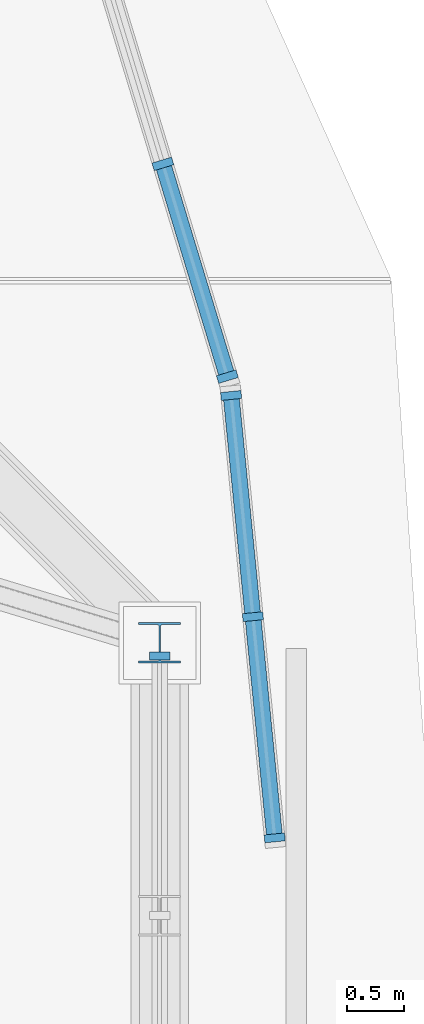
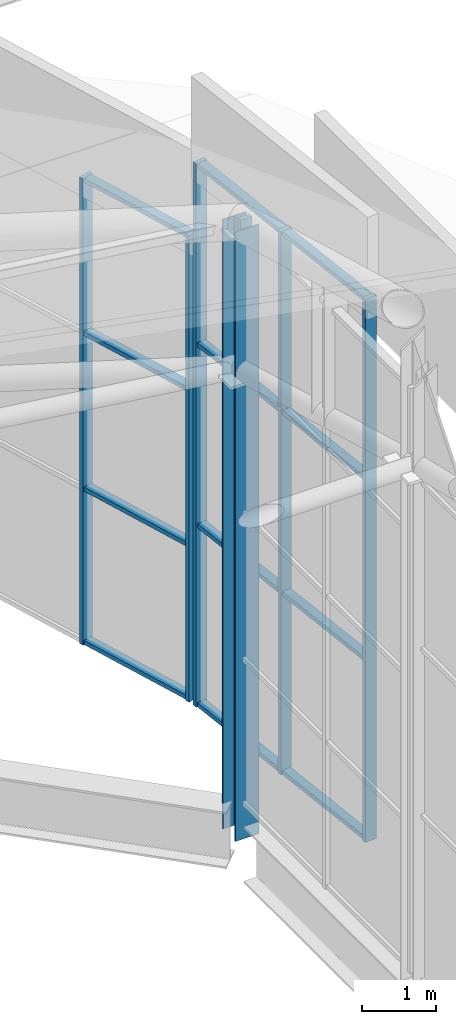
# One storey, part 27 of 42: 19 members, 3 elements without a shape of their own.
"""IFC4 building model written with IfcOpenShell, lengths in metres."""

from ifc_helpers import new_model, si_unit, direction, frame, origin, origin_2d, place, context, subcontext, project, spatial, rectangle, i_section, extrude, material, layer, layer_set, material_profile, profile_set, type_object, element, aggregate, save


model = new_model("IFC4")

# Units and contexts
model_context = context("Model", 3, precision=1e-05, world=origin(), true_north=direction((0.0, 1.0)))
body_context = subcontext(model_context, "Body", "Model", "MODEL_VIEW")
ifc_project = project(units=[si_unit("LENGTHUNIT", "METRE"), si_unit("AREAUNIT", "SQUARE_METRE"), si_unit("VOLUMEUNIT", "CUBIC_METRE"), si_unit("PLANEANGLEUNIT", "RADIAN"), si_unit("MASSUNIT", "GRAM", prefix="KILO")], contexts=[model_context])

# Site, building, storey
site_placement = place(None, origin())
site = spatial("IfcSite", under=ifc_project, at=site_placement, CompositionType="ELEMENT")
building_placement = place(site_placement, origin())
building = spatial("IfcBuilding", under=site, at=building_placement, Name="Caelomonte Colonnade Arena", CompositionType="ELEMENT")
storey_placement = place(building_placement, frame((0.0, 0.0, 28.199951171875)))
storey = spatial("IfcBuildingStorey", under=building, at=storey_placement, Name="RF", CompositionType="ELEMENT", Elevation=28.199951171875)

# Curtain wall, member
ifc_material_1 = material(Name="Bronze anodised aluminium and low-E glazing", Category="aluminium")
ifc_layer_1 = layer(ifc_material_1, 0.179931640625)
ifc_layer_set_1 = layer_set([ifc_layer_1], Name="Bronze anodised aluminium and low-E glazing")
curtain_wall_type_1 = type_object("IfcCurtainWallType", Name="ENV-CW-CW-TYMP-08", PredefinedType="USERDEFINED", material=ifc_layer_set_1)
curtain_wall_1_placement = place(storey_placement, origin())
curtain_wall_1 = element("IfcCurtainWall", 1, at=curtain_wall_1_placement, inside=storey, type_object=curtain_wall_type_1, Name="Barrel arch E clerestory tympanum curtain wall 8", ObjectType="UNITIZED CURTAIN WALL", PredefinedType="USERDEFINED")
ifc_material_2 = material(Name="Bronze anodised aluminium AA6063-T6", Category="aluminium")
ifc_material_profile_1 = material_profile(ifc_material_2, rectangle(XDim=0.070068359375, YDim=0.179931640625, at=origin_2d()), Name="CWM-70X180")
ifc_profile_set_1 = profile_set([ifc_material_profile_1], Name="Bronze anodised aluminium AA6063-T6")
member_type_1 = type_object("IfcMemberType", Name="ENV-CW-MULL1", PredefinedType="MULLION", material=ifc_profile_set_1)
member_1_placement = place(storey_placement, frame((163.199951171875, 95.885009765625, -0.14990234375), z_axis=(0.0, 0.0, 1.0), x_axis=(0.0, 1.0, 0.0)))
member_1 = element("IfcMember", 2, at=member_1_placement, type_object=member_type_1, Name="CW-TYMP-08 mullion 3", PredefinedType="MULLION", context=body_context, shape_type="SweptSolid", body=[
    extrude(rectangle(XDim=0.070068359375, YDim=0.179931640625, at=origin_2d()), origin(), (0.0, 0.0, 1.0), 9.61474609375),
])
aggregate(curtain_wall_1, [member_1])

# Curtain wall, members
ifc_layer_2 = layer(ifc_material_1, 0.179931640625)
ifc_layer_set_2 = layer_set([ifc_layer_2], Name="Bronze anodised aluminium and low-E glazing")
curtain_wall_type_2 = type_object("IfcCurtainWallType", Name="ENV-CW-CW-TYMPC-01-89", PredefinedType="USERDEFINED", material=ifc_layer_set_2)
curtain_wall_2_placement = place(storey_placement, origin())
curtain_wall_2 = element("IfcCurtainWall", 3, at=curtain_wall_2_placement, inside=storey, type_object=curtain_wall_type_2, Name="Barrel arch rounded corner clerestory curtain wall 9", ObjectType="UNITIZED CURTAIN WALL", PredefinedType="USERDEFINED")
member_2_placement = place(storey_placement, frame((164.211669921875, 94.28466796875, -0.14990234375), z_axis=(0.0, 0.0, 1.0), x_axis=(-0.098031417843, 0.995183320356, 0.0)))
member_2 = element("IfcMember", 4, at=member_2_placement, type_object=member_type_1, Name="CW-TYMPC-01-89 mullion 1", PredefinedType="MULLION", context=body_context, shape_type="SweptSolid", body=[
    extrude(rectangle(XDim=0.070068359375, YDim=0.179931640625, at=origin_2d()), origin(), (0.0, 0.0, 1.0), 8.93017578125),
])
member_3_placement = place(storey_placement, frame((164.02001953125, 96.23095703125, -0.14990234375), z_axis=(0.0, 0.0, 1.0), x_axis=(-0.098031417843, 0.995183320356, 0.0)))
member_3 = element("IfcMember", 5, at=member_3_placement, type_object=member_type_1, Name="CW-TYMPC-01-89 mullion 2", PredefinedType="MULLION", context=body_context, shape_type="SweptSolid", body=[
    extrude(rectangle(XDim=0.070068359375, YDim=0.179931640625, at=origin_2d()), origin(), (0.0, 0.0, 1.0), 8.93017578125),
])
member_4_placement = place(storey_placement, frame((163.828125, 98.17724609375, -0.14990234375), z_axis=(0.0, 0.0, 1.0), x_axis=(-0.098031417843, 0.995183320356, 0.0)))
member_4 = element("IfcMember", 6, at=member_4_placement, type_object=member_type_1, Name="CW-TYMPC-01-89 mullion 3", PredefinedType="MULLION", context=body_context, shape_type="SweptSolid", body=[
    extrude(rectangle(XDim=0.070068359375, YDim=0.179931640625, at=origin_2d()), origin(), (0.0, 0.0, 1.0), 8.93017578125),
])

ifc_layer_3 = layer(ifc_material_1, 0.179931640625)
ifc_layer_set_3 = layer_set([ifc_layer_3], Name="Bronze anodised aluminium and low-E glazing")
curtain_wall_type_3 = type_object("IfcCurtainWallType", Name="ENV-CW-CW-TYMPC-02-77", PredefinedType="USERDEFINED", material=ifc_layer_set_3)
curtain_wall_3_placement = place(storey_placement, origin())
curtain_wall_3 = element("IfcCurtainWall", 7, at=curtain_wall_3_placement, inside=storey, type_object=curtain_wall_type_3, Name="Barrel arch rounded corner clerestory curtain wall 10", ObjectType="UNITIZED CURTAIN WALL", PredefinedType="USERDEFINED")
member_5_placement = place(storey_placement, frame((163.795166015625, 98.343017578125, -0.14990234375), z_axis=(0.0, 0.0, 1.0), x_axis=(-0.290266004632, 0.956945999811, 0.0)))
member_5 = element("IfcMember", 8, at=member_5_placement, type_object=member_type_1, Name="CW-TYMPC-02-77 mullion 1", PredefinedType="MULLION", context=body_context, shape_type="SweptSolid", body=[
    extrude(rectangle(XDim=0.070068359375, YDim=0.179931640625, at=origin_2d()), origin(), (0.0, 0.0, 1.0), 7.666259765625),
])
member_6_placement = place(storey_placement, frame((163.2275390625, 100.214599609375, -0.14990234375), z_axis=(0.0, 0.0, 1.0), x_axis=(-0.290266004632, 0.956945999811, 0.0)))
member_6 = element("IfcMember", 9, at=member_6_placement, type_object=member_type_1, Name="CW-TYMPC-02-77 mullion 2", PredefinedType="MULLION", context=body_context, shape_type="SweptSolid", body=[
    extrude(rectangle(XDim=0.070068359375, YDim=0.179931640625, at=origin_2d()), origin(), (0.0, 0.0, 1.0), 7.666259765625),
])

# Member
ifc_material_profile_2 = material_profile(ifc_material_2, rectangle(XDim=0.070068359375, YDim=0.139892578125, at=origin_2d()), Name="CWT-70X140")
ifc_profile_set_2 = profile_set([ifc_material_profile_2], Name="Bronze anodised aluminium AA6063-T6")
member_type_2 = type_object("IfcMemberType", Name="ENV-CW-TRAN1", PredefinedType="USERDEFINED", material=ifc_profile_set_2)
member_7_placement = place(storey_placement, frame((164.208251953125, 94.319580078125, -0.114990234375), z_axis=(-0.098016508612, 0.995184788891, 0.0), x_axis=(0.0, 0.0, 1.0)))
member_7 = element("IfcMember", 10, at=member_7_placement, type_object=member_type_2, Name="CW-TYMPC-01-89 transom 1.1", ObjectType="TRANSOM", PredefinedType="USERDEFINED", context=body_context, shape_type="SweptSolid", body=[
    extrude(rectangle(XDim=0.070068359375, YDim=0.139892578125, at=origin_2d()), origin(), (0.0, 0.0, 1.0), 1.885498046875),
])

member_8_placement = place(storey_placement, frame((164.208251953125, 94.319580078125, 2.82666015625), z_axis=(-0.098016508612, 0.995184788891, 0.0), x_axis=(0.0, 0.0, 1.0)))
member_8 = element("IfcMember", 11, at=member_8_placement, type_object=member_type_2, Name="CW-TYMPC-01-89 transom 1.2", ObjectType="TRANSOM", PredefinedType="USERDEFINED", context=body_context, shape_type="SweptSolid", body=[
    extrude(rectangle(XDim=0.070068359375, YDim=0.139892578125, at=origin_2d()), origin(), (0.0, 0.0, 1.0), 1.885498046875),
])

member_9_placement = place(storey_placement, frame((164.208251953125, 94.319580078125, 5.803466796875), z_axis=(-0.098016508612, 0.995184788891, 0.0), x_axis=(0.0, 0.0, 1.0)))
member_9 = element("IfcMember", 12, at=member_9_placement, type_object=member_type_2, Name="CW-TYMPC-01-89 transom 1.3", ObjectType="TRANSOM", PredefinedType="USERDEFINED", context=body_context, shape_type="SweptSolid", body=[
    extrude(rectangle(XDim=0.070068359375, YDim=0.139892578125, at=origin_2d()), origin(), (0.0, 0.0, 1.0), 1.885498046875),
])

member_10_placement = place(storey_placement, frame((164.208251953125, 94.319580078125, 8.745361328125), z_axis=(-0.098016508612, 0.995184788891, 0.0), x_axis=(0.0, 0.0, 1.0)))
member_10 = element("IfcMember", 13, at=member_10_placement, type_object=member_type_2, Name="CW-TYMPC-01-89 transom 1.4", ObjectType="TRANSOM", PredefinedType="USERDEFINED", context=body_context, shape_type="SweptSolid", body=[
    extrude(rectangle(XDim=0.070068359375, YDim=0.139892578125, at=origin_2d()), origin(), (0.0, 0.0, 1.0), 1.885498046875),
])

member_11_placement = place(storey_placement, frame((164.0166015625, 96.265625, -0.114990234375), z_axis=(-0.098132097752, 0.99517339765, 0.0), x_axis=(0.0, 0.0, 1.0)))
member_11 = element("IfcMember", 14, at=member_11_placement, type_object=member_type_2, Name="CW-TYMPC-01-89 transom 2.1", ObjectType="TRANSOM", PredefinedType="USERDEFINED", context=body_context, shape_type="SweptSolid", body=[
    extrude(rectangle(XDim=0.070068359375, YDim=0.139892578125, at=origin_2d()), origin(), (0.0, 0.0, 1.0), 1.8857421875),
])

member_12_placement = place(storey_placement, frame((164.0166015625, 96.265625, 2.82666015625), z_axis=(-0.098132097752, 0.99517339765, 0.0), x_axis=(0.0, 0.0, 1.0)))
member_12 = element("IfcMember", 15, at=member_12_placement, type_object=member_type_2, Name="CW-TYMPC-01-89 transom 2.2", ObjectType="TRANSOM", PredefinedType="USERDEFINED", context=body_context, shape_type="SweptSolid", body=[
    extrude(rectangle(XDim=0.070068359375, YDim=0.139892578125, at=origin_2d()), origin(), (0.0, 0.0, 1.0), 1.8857421875),
])

member_13_placement = place(storey_placement, frame((164.0166015625, 96.265625, 5.803466796875), z_axis=(-0.098132097752, 0.99517339765, 0.0), x_axis=(0.0, 0.0, 1.0)))
member_13 = element("IfcMember", 16, at=member_13_placement, type_object=member_type_2, Name="CW-TYMPC-01-89 transom 2.3", ObjectType="TRANSOM", PredefinedType="USERDEFINED", context=body_context, shape_type="SweptSolid", body=[
    extrude(rectangle(XDim=0.070068359375, YDim=0.139892578125, at=origin_2d()), origin(), (0.0, 0.0, 1.0), 1.8857421875),
])

member_14_placement = place(storey_placement, frame((164.0166015625, 96.265625, 8.745361328125), z_axis=(-0.098132097752, 0.99517339765, 0.0), x_axis=(0.0, 0.0, 1.0)))
member_14 = element("IfcMember", 17, at=member_14_placement, type_object=member_type_2, Name="CW-TYMPC-01-89 transom 2.4", ObjectType="TRANSOM", PredefinedType="USERDEFINED", context=body_context, shape_type="SweptSolid", body=[
    extrude(rectangle(XDim=0.070068359375, YDim=0.139892578125, at=origin_2d()), origin(), (0.0, 0.0, 1.0), 1.8857421875),
])

aggregate(curtain_wall_2, [member_2, member_3, member_4, member_7, member_8, member_9, member_10, member_11, member_12, member_13, member_14])

member_15_placement = place(storey_placement, frame((163.78515625, 98.37646484375, -0.114990234375), z_axis=(-0.29024452618, 0.956952514508, 0.0), x_axis=(0.0, 0.0, 1.0)))
member_15 = element("IfcMember", 18, at=member_15_placement, type_object=member_type_2, Name="CW-TYMPC-02-77 transom 1.1", ObjectType="TRANSOM", PredefinedType="USERDEFINED", context=body_context, shape_type="SweptSolid", body=[
    extrude(rectangle(XDim=0.070068359375, YDim=0.139892578125, at=origin_2d()), origin(), (0.0, 0.0, 1.0), 1.885986328125),
])

member_16_placement = place(storey_placement, frame((163.78515625, 98.37646484375, 2.405517578125), z_axis=(-0.29024452618, 0.956952514508, 0.0), x_axis=(0.0, 0.0, 1.0)))
member_16 = element("IfcMember", 19, at=member_16_placement, type_object=member_type_2, Name="CW-TYMPC-02-77 transom 1.2", ObjectType="TRANSOM", PredefinedType="USERDEFINED", context=body_context, shape_type="SweptSolid", body=[
    extrude(rectangle(XDim=0.070068359375, YDim=0.139892578125, at=origin_2d()), origin(), (0.0, 0.0, 1.0), 1.885986328125),
])

member_17_placement = place(storey_placement, frame((163.78515625, 98.37646484375, 4.9609375), z_axis=(-0.29024452618, 0.956952514508, 0.0), x_axis=(0.0, 0.0, 1.0)))
member_17 = element("IfcMember", 20, at=member_17_placement, type_object=member_type_2, Name="CW-TYMPC-02-77 transom 1.3", ObjectType="TRANSOM", PredefinedType="USERDEFINED", context=body_context, shape_type="SweptSolid", body=[
    extrude(rectangle(XDim=0.070068359375, YDim=0.139892578125, at=origin_2d()), origin(), (0.0, 0.0, 1.0), 1.885986328125),
])

member_18_placement = place(storey_placement, frame((163.78515625, 98.37646484375, 7.481201171875), z_axis=(-0.29024452618, 0.956952514508, 0.0), x_axis=(0.0, 0.0, 1.0)))
member_18 = element("IfcMember", 21, at=member_18_placement, type_object=member_type_2, Name="CW-TYMPC-02-77 transom 1.4", ObjectType="TRANSOM", PredefinedType="USERDEFINED", context=body_context, shape_type="SweptSolid", body=[
    extrude(rectangle(XDim=0.070068359375, YDim=0.139892578125, at=origin_2d()), origin(), (0.0, 0.0, 1.0), 1.885986328125),
])

aggregate(curtain_wall_3, [member_5, member_6, member_15, member_16, member_17, member_18])

ifc_material_3 = material(Name="Wide-flange steel ASTM A992 Grade 50", Category="steel")
ifc_material_profile_3 = material_profile(ifc_material_3, i_section(OverallWidth=0.368896484375, OverallDepth=0.356201171875, WebThickness=0.01123046875, FlangeThickness=0.01806640625, FilletRadius=0.01513671875, at=origin_2d()), Name="W14X90")
ifc_profile_set_3 = profile_set([ifc_material_profile_3], Name="Wide-flange steel ASTM A992 Grade 50")
member_type_3 = type_object("IfcMemberType", Name="STR-CAT-STR", PredefinedType="STRUT", material=ifc_profile_set_3)
member_19_placement = place(storey_placement, frame((163.199951171875, 96.0, -0.699951171875), z_axis=(0.0, 0.0, 1.0), x_axis=(1.0, 0.0, 0.0)))
element("IfcMember", 22, at=member_19_placement, inside=storey, type_object=member_type_3, Name="Roof truss eaves bearing post 10-10", PredefinedType="STRUT", context=body_context, shape_type="SweptSolid", body=[
    extrude(i_section(OverallWidth=0.368896484375, OverallDepth=0.356201171875, WebThickness=0.01123046875, FlangeThickness=0.01806640625, FilletRadius=0.01513671875, at=origin_2d()), origin(), (0.0, 0.0, 1.0), 10.014892578125),
])

save(model, "model.ifc")
